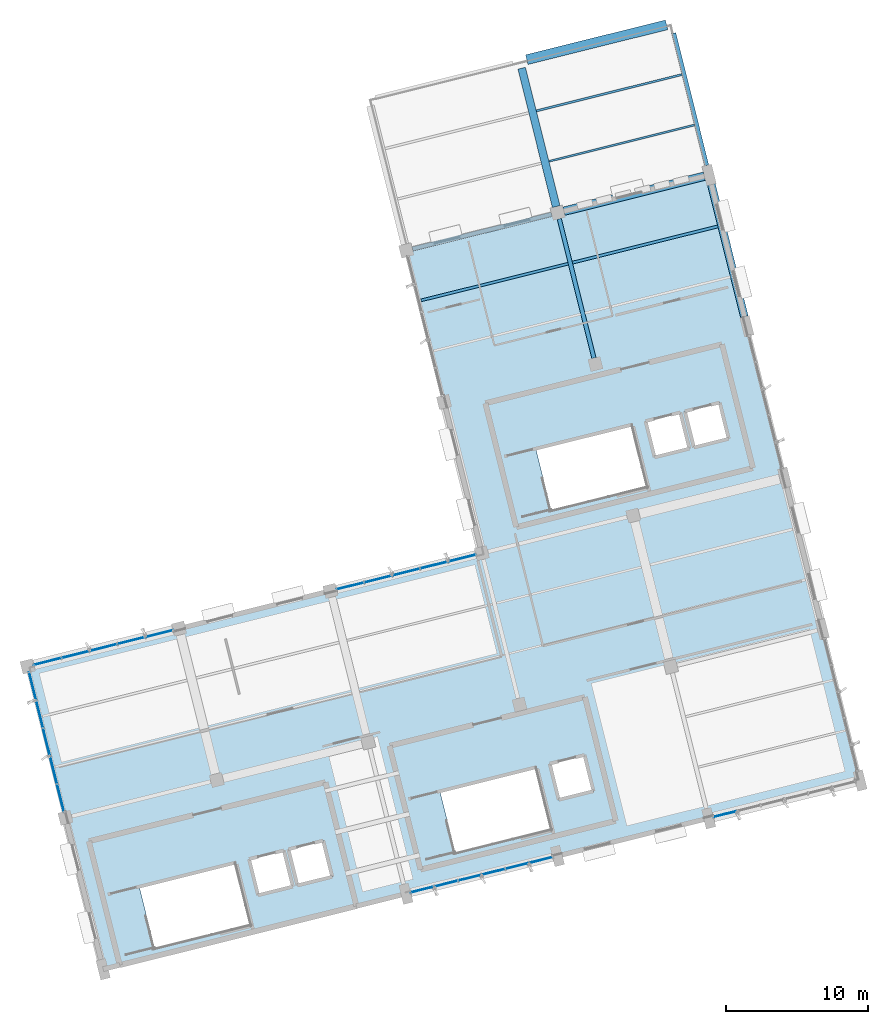
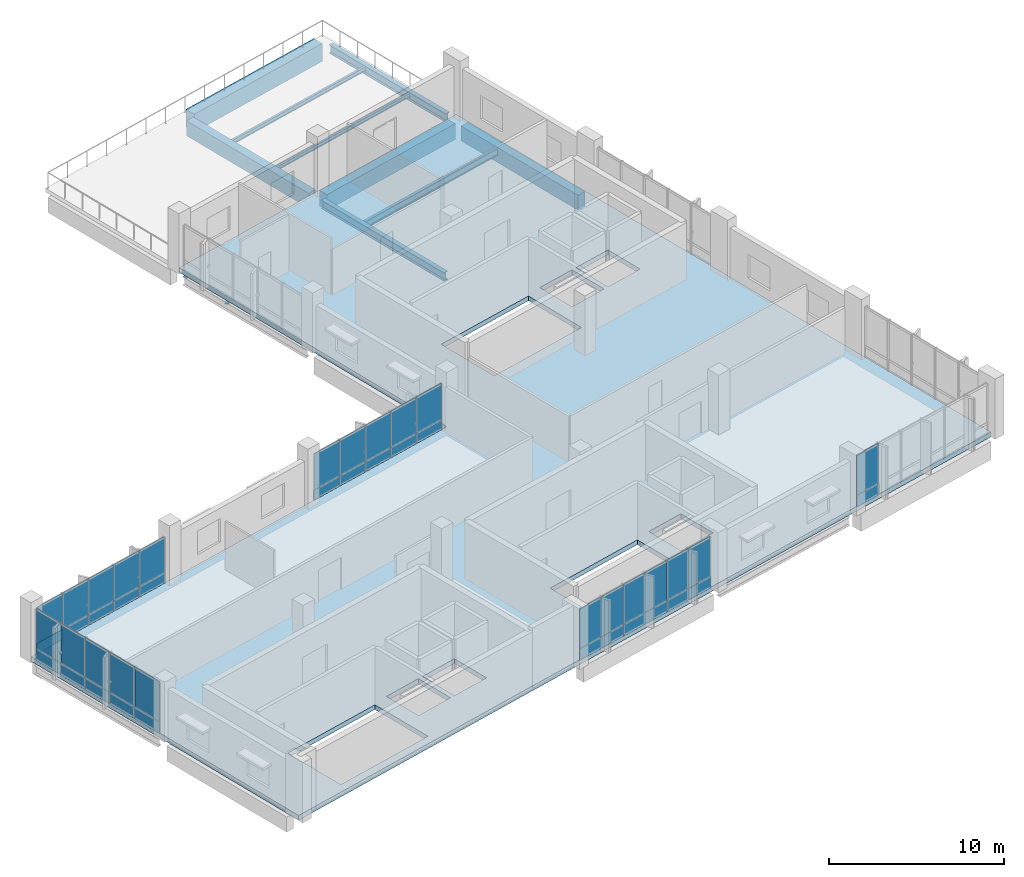
# One storey, part 17 of 22: 44 plates, 11 beams, 1 slab, 5 elements without a shape of their own.
"""IFC4 building model written with IfcOpenShell, lengths in metres."""

from ifc_helpers import new_model, si_unit, direction, frame, origin, origin_2d, place, context, subcontext, project, spatial, polyline, rectangle, i_section, outline, extrude, material, layer, layer_set, material_profile, profile_set, type_object, element, aggregate, save


model = new_model("IFC4")

# Units and contexts
model_context = context("Model", 3, precision=1e-05, world=origin(), true_north=direction((0.0, 1.0)))
body_context = subcontext(model_context, "Body", "Model", "MODEL_VIEW")
ifc_project = project(units=[si_unit("LENGTHUNIT", "METRE"), si_unit("AREAUNIT", "SQUARE_METRE"), si_unit("VOLUMEUNIT", "CUBIC_METRE"), si_unit("PLANEANGLEUNIT", "RADIAN"), si_unit("MASSUNIT", "GRAM", prefix="KILO")], contexts=[model_context])

# Site, building, storey
site_placement = place(None, origin())
site = spatial("IfcSite", under=ifc_project, at=site_placement, CompositionType="ELEMENT")
building_placement = place(site_placement, origin())
building = spatial("IfcBuilding", under=site, at=building_placement, Name="Khorjan Park Terminus", CompositionType="ELEMENT")
storey_placement = place(building_placement, frame((0.0, 0.0, 24.6)))
storey = spatial("IfcBuildingStorey", under=building, at=storey_placement, Name="L05", CompositionType="ELEMENT", Elevation=24.6)

# Beams
ifc_material_1 = material(Name="Steel S355", Category="steel")
ifc_material_profile_1 = material_profile(ifc_material_1, i_section(OverallWidth=0.3, OverallDepth=0.6, WebThickness=0.0155, FlangeThickness=0.03, FilletRadius=0.027, at=origin_2d()), Name="HEB 600")
ifc_profile_set_1 = profile_set([ifc_material_profile_1], Name="Steel S355")
beam_type_1 = type_object("IfcBeamType", Name="BM-HEB600", PredefinedType="BEAM", material=ifc_profile_set_1)
for number, where, z_axis, x_axis, name in (
    (1, (198.4802, 55.4452, -0.63), (0.970294168541, 0.241928143249, 0.0), (-0.241928143249, 0.970294168541, 0.0), "Primary skew-grid floor girder SB-B60 (L05)"),
    (2, (211.2752, 47.7572, -0.63), (-0.241918830968, 0.970296490369, 0.0), (-0.970296490369, -0.241918830968, 0.0), "Primary skew-grid floor girder SB-B60 (L05)"),
):
    element("IfcBeam", number, at=place(storey_placement, frame(where, z_axis=z_axis, x_axis=x_axis)), inside=storey, type_object=beam_type_1, Name=name, PredefinedType="BEAM", context=body_context, shape_type="SweptSolid", body=[
        extrude(i_section(OverallWidth=0.3, OverallDepth=0.6, WebThickness=0.0155, FlangeThickness=0.03, FilletRadius=0.027, at=origin_2d()), origin(), (0.0, 0.0, 1.0), 10.11),
    ])
beam_1_placement = place(storey_placement, frame((219.2268, 61.3342, -0.56), z_axis=(-0.241923473335, 0.970295332901, 0.0), x_axis=(-0.970295332901, -0.241923473335, 0.0)))
element("IfcBeam", 3, at=beam_1_placement, inside=storey, type_object=beam_type_1, Name="Primary skew-grid floor girder SB-B60 (L05)", PredefinedType="BEAM", context=body_context, shape_type="SweptSolid", body=[
    extrude(i_section(OverallWidth=0.3, OverallDepth=0.6, WebThickness=0.0155, FlangeThickness=0.03, FilletRadius=0.027, at=origin_2d()), origin(), (0.0, 0.0, 1.0), 9.6101),
])
ifc_material_2 = material(Name="Concrete C40/50", Category="concrete")
ifc_material_profile_2 = material_profile(ifc_material_2, rectangle(XDim=0.55, YDim=1.05, at=origin_2d()), Name="RC 550x1050")
ifc_profile_set_2 = profile_set([ifc_material_profile_2], Name="Concrete C40/50")
beam_type_2 = type_object("IfcBeamType", Name="BM-RC550x1050", PredefinedType="BEAM", material=ifc_profile_set_2)
beam_2_placement = place(storey_placement, frame((208.614, 58.4305, -0.785), z_axis=(-0.24191810525, 0.970296671309, 0.0), x_axis=(-0.970296671309, -0.24191810525, 0.0)))
element("IfcBeam", 4, at=beam_2_placement, inside=storey, type_object=beam_type_2, Name="Primary skew-grid floor girder GB-105 (L05)", PredefinedType="BEAM", context=body_context, shape_type="SweptSolid", body=[
    extrude(rectangle(XDim=0.55, YDim=1.05, at=origin_2d()), origin(), (0.0, 0.0, 1.0), 10.06),
])
beam_3_placement = place(storey_placement, frame((221.888, 50.661, -0.855), z_axis=(-0.241925915978, 0.970294723874, 0.0), x_axis=(-0.970294723874, -0.241925915978, 0.0)))
element("IfcBeam", 5, at=beam_3_placement, inside=storey, type_object=beam_type_2, Name="Primary skew-grid floor girder GB-105 (L05)", PredefinedType="BEAM", context=body_context, shape_type="SweptSolid", body=[
    extrude(rectangle(XDim=0.55, YDim=1.05, at=origin_2d()), origin(), (0.0, 0.0, 1.0), 9.61),
])
ifc_material_profile_3 = material_profile(ifc_material_2, rectangle(XDim=0.6, YDim=1.1, at=origin_2d()), Name="RC 600x1100")
ifc_profile_set_3 = profile_set([ifc_material_profile_3], Name="Concrete C40/50")
beam_type_3 = type_object("IfcBeamType", Name="BM-RC600x1100", PredefinedType="BEAM", material=ifc_profile_set_3)
beam_4_placement = place(storey_placement, frame((209.1535, 58.1064, -0.88), z_axis=(0.970296133805, 0.241920261086, 0.0), x_axis=(-0.241920261086, 0.970296133805, 0.0)))
element("IfcBeam", 6, at=beam_4_placement, inside=storey, type_object=beam_type_3, Name="Primary skew-grid floor girder GB-11 (L05)", PredefinedType="BEAM", context=body_context, shape_type="SweptSolid", body=[
    extrude(rectangle(XDim=0.6, YDim=1.1, at=origin_2d()), origin(), (0.0, 0.0, 1.0), 10.21),
])
ifc_material_profile_4 = material_profile(ifc_material_2, rectangle(XDim=0.7, YDim=1.25, at=origin_2d()), Name="RC 700x1250")
ifc_profile_set_4 = profile_set([ifc_material_profile_4], Name="Concrete C40/50")
beam_type_4 = type_object("IfcBeamType", Name="BM-RC700x1250", PredefinedType="BEAM", material=ifc_profile_set_4)
beam_5_placement = place(storey_placement, frame((206.5409, 68.7917, -0.885), z_axis=(0.97029631121, 0.241919549545, 0.0), x_axis=(-0.241919549545, 0.97029631121, 0.0)))
element("IfcBeam", 7, at=beam_5_placement, inside=storey, type_object=beam_type_4, Name="Primary skew-grid floor girder GB-125 (L05)", PredefinedType="BEAM", context=body_context, shape_type="SweptSolid", body=[
    extrude(rectangle(XDim=0.7, YDim=1.25, at=origin_2d()), origin(), (0.0, 0.0, 1.0), 10.16),
])
ifc_material_profile_5 = material_profile(ifc_material_1, i_section(OverallWidth=0.135, OverallDepth=0.27, WebThickness=0.0066, FlangeThickness=0.0102, FilletRadius=0.015, at=origin_2d()), Name="IPE 270")
ifc_profile_set_5 = profile_set([ifc_material_profile_5], Name="Steel S355")
beam_type_5 = type_object("IfcBeamType", Name="JS-IPE270", PredefinedType="JOIST", material=ifc_profile_set_5)
beam_6_placement = place(storey_placement, frame((208.1015, 61.623, -0.395), z_axis=(0.970294165893, 0.241928153868, 0.0), x_axis=(-0.241928153868, 0.970294165893, 0.0)))
element("IfcBeam", 8, at=beam_6_placement, inside=storey, type_object=beam_type_5, Name="Secondary composite floor joist SJ-27 (L05)", PredefinedType="JOIST", context=body_context, shape_type="SweptSolid", body=[
    extrude(i_section(OverallWidth=0.135, OverallDepth=0.27, WebThickness=0.0066, FlangeThickness=0.0102, FilletRadius=0.015, at=origin_2d()), origin(), (0.0, 0.0, 1.0), 10.575),
])
ifc_material_profile_6 = material_profile(ifc_material_1, i_section(OverallWidth=0.15, OverallDepth=0.3, WebThickness=0.0071, FlangeThickness=0.0107, FilletRadius=0.015, at=origin_2d()), Name="IPE 300")
ifc_profile_set_6 = profile_set([ifc_material_profile_6], Name="Steel S355")
beam_type_6 = type_object("IfcBeamType", Name="JS-IPE300", PredefinedType="JOIST", material=ifc_profile_set_6)
beam_7_placement = place(storey_placement, frame((207.2144, 65.1807, -0.41), z_axis=(0.970296385626, 0.241919251074, 0.0), x_axis=(-0.241919251074, 0.970296385626, 0.0)))
element("IfcBeam", 9, at=beam_7_placement, inside=storey, type_object=beam_type_6, Name="Secondary composite floor joist SJ-30 (L05)", PredefinedType="JOIST", context=body_context, shape_type="SweptSolid", body=[
    extrude(i_section(OverallWidth=0.15, OverallDepth=0.3, WebThickness=0.0071, FlangeThickness=0.0107, FilletRadius=0.015, at=origin_2d()), origin(), (0.0, 0.0, 1.0), 10.575),
])
ifc_material_profile_7 = material_profile(ifc_material_1, i_section(OverallWidth=0.19, OverallDepth=0.45, WebThickness=0.0094, FlangeThickness=0.0146, FilletRadius=0.021, at=origin_2d()), Name="IPE 450")
ifc_profile_set_7 = profile_set([ifc_material_profile_7], Name="Steel S355")
beam_type_7 = type_object("IfcBeamType", Name="JS-IPE450", PredefinedType="JOIST", material=ifc_profile_set_7)
beam_8_placement = place(storey_placement, frame((199.081, 51.8161, -0.555), z_axis=(0.970297331913, 0.241915455651, 0.0), x_axis=(-0.241915455651, 0.970297331913, 0.0)))
element("IfcBeam", 10, at=beam_8_placement, inside=storey, type_object=beam_type_7, Name="Secondary composite floor joist SJ-45 (L05)", PredefinedType="JOIST", context=body_context, shape_type="SweptSolid", body=[
    extrude(i_section(OverallWidth=0.19, OverallDepth=0.45, WebThickness=0.0094, FlangeThickness=0.0146, FilletRadius=0.021, at=origin_2d()), origin(), (0.0, 0.0, 1.0), 10.7),
])
ifc_material_profile_8 = material_profile(ifc_material_1, i_section(OverallWidth=0.2, OverallDepth=0.5, WebThickness=0.0102, FlangeThickness=0.016, FilletRadius=0.021, at=origin_2d()), Name="IPE 500")
ifc_profile_set_8 = profile_set([ifc_material_profile_8], Name="Steel S355")
beam_type_8 = type_object("IfcBeamType", Name="JS-IPE500", PredefinedType="JOIST", material=ifc_profile_set_8)
beam_9_placement = place(storey_placement, frame((209.7543, 54.4772, -0.58), z_axis=(0.970296385626, 0.241919251074, 0.0), x_axis=(-0.241919251074, 0.970296385626, 0.0)))
element("IfcBeam", 11, at=beam_9_placement, inside=storey, type_object=beam_type_8, Name="Secondary composite floor joist SJ-50 (L05)", PredefinedType="JOIST", context=body_context, shape_type="SweptSolid", body=[
    extrude(i_section(OverallWidth=0.2, OverallDepth=0.5, WebThickness=0.0102, FlangeThickness=0.016, FilletRadius=0.021, at=origin_2d()), origin(), (0.0, 0.0, 1.0), 10.575),
])

# Curtain wall, plates
ifc_material_3 = material(Name="Anodized Bronze Aluminium", Category="aluminium")
ifc_layer_1 = layer(ifc_material_3, 0.22)
ifc_layer_set_1 = layer_set([ifc_layer_1], Name="Anodized Bronze Aluminium")
curtain_wall_type = type_object("IfcCurtainWallType", Name="CW-OPS-B", PredefinedType="NOTDEFINED", material=ifc_layer_set_1)
curtain_wall_1_placement = place(storey_placement, origin())
curtain_wall_1 = element("IfcCurtainWall", 12, at=curtain_wall_1_placement, inside=storey, type_object=curtain_wall_type, Name="Unitized curtain wall CW-B (CW-V5-S-L05-B03)", PredefinedType="NOTDEFINED")
ifc_material_4 = material(Name="Low-E Solar Control Double Glazing", Category="glass")
ifc_layer_2 = layer(ifc_material_4, 0.032)
ifc_layer_set_2 = layer_set([ifc_layer_2], Name="Low-E Solar Control Double Glazing")
plate_type_1 = type_object("IfcPlateType", Name="GL-VIS-32", PredefinedType="CURTAIN_PANEL", material=ifc_layer_set_2)
plate_1_placement = place(storey_placement, frame((199.1762, 10.2718, 0.786), z_axis=(0.0, 0.0, 1.0), x_axis=(0.970294772494, 0.241925720978, 0.0)))
plate_1 = element("IfcPlate", 13, at=plate_1_placement, type_object=plate_type_1, Name="Curtain-wall panel VP-32 (CW-V5-S-L05-B03-0-2)", PredefinedType="CURTAIN_PANEL", context=body_context, shape_type="SweptSolid", body=[
    extrude(rectangle(XDim=1.7233, YDim=0.032, at=origin_2d()), origin(), (0.0, 0.0, 1.0), 2.799),
])
plate_2_placement = place(storey_placement, frame((200.8483, 10.6886, 0.786), z_axis=(0.0, 0.0, 1.0), x_axis=(0.970294772494, 0.241925720978, 0.0)))
plate_2 = element("IfcPlate", 14, at=plate_2_placement, type_object=plate_type_1, Name="Curtain-wall panel VP-32 (CW-V5-S-L05-B03-1-2)", PredefinedType="CURTAIN_PANEL", context=body_context, shape_type="SweptSolid", body=[
    extrude(rectangle(XDim=1.7233, YDim=0.032, at=origin_2d()), origin(), (0.0, 0.0, 1.0), 2.799),
])
plate_3_placement = place(storey_placement, frame((202.5205, 11.1056, 0.786), z_axis=(0.0, 0.0, 1.0), x_axis=(0.970294772494, 0.241925720978, 0.0)))
plate_3 = element("IfcPlate", 15, at=plate_3_placement, type_object=plate_type_1, Name="Curtain-wall panel VP-32 (CW-V5-S-L05-B03-2-2)", PredefinedType="CURTAIN_PANEL", context=body_context, shape_type="SweptSolid", body=[
    extrude(rectangle(XDim=1.7233, YDim=0.032, at=origin_2d()), origin(), (0.0, 0.0, 1.0), 2.799),
])
plate_4_placement = place(storey_placement, frame((204.1926, 11.5225, 0.786), z_axis=(0.0, 0.0, 1.0), x_axis=(0.970294772494, 0.241925720978, 0.0)))
plate_4 = element("IfcPlate", 16, at=plate_4_placement, type_object=plate_type_1, Name="Curtain-wall panel VP-32 (CW-V5-S-L05-B03-3-2)", PredefinedType="CURTAIN_PANEL", context=body_context, shape_type="SweptSolid", body=[
    extrude(rectangle(XDim=1.7233, YDim=0.032, at=origin_2d()), origin(), (0.0, 0.0, 1.0), 2.799),
])
plate_5_placement = place(storey_placement, frame((205.8647, 11.9395, 0.786), z_axis=(0.0, 0.0, 1.0), x_axis=(0.970294772494, 0.241925720978, 0.0)))
plate_5 = element("IfcPlate", 17, at=plate_5_placement, type_object=plate_type_1, Name="Curtain-wall panel VP-32 (CW-V5-S-L05-B03-4-2)", PredefinedType="CURTAIN_PANEL", context=body_context, shape_type="SweptSolid", body=[
    extrude(rectangle(XDim=1.7233, YDim=0.032, at=origin_2d()), origin(), (0.0, 0.0, 1.0), 2.799),
])
plate_6_placement = place(storey_placement, frame((207.5368, 12.3563, 0.786), z_axis=(0.0, 0.0, 1.0), x_axis=(0.970294772494, 0.241925720978, 0.0)))
plate_6 = element("IfcPlate", 18, at=plate_6_placement, type_object=plate_type_1, Name="Curtain-wall panel VP-32 (CW-V5-S-L05-B03-5-2)", PredefinedType="CURTAIN_PANEL", context=body_context, shape_type="SweptSolid", body=[
    extrude(rectangle(XDim=1.7233, YDim=0.032, at=origin_2d()), origin(), (0.0, 0.0, 1.0), 2.799),
])

curtain_wall_2_placement = place(storey_placement, origin())
curtain_wall_2 = element("IfcCurtainWall", 19, at=curtain_wall_2_placement, inside=storey, type_object=curtain_wall_type, Name="Unitized curtain wall CW-B (CW-V5-NW2-L05-B03)", PredefinedType="NOTDEFINED")
plate_7_placement = place(storey_placement, frame((180.623, 28.3194, 0.709), z_axis=(0.0, 0.0, 1.0), x_axis=(-0.9702960401, -0.241920636916, 0.0)))
plate_7 = element("IfcPlate", 20, at=plate_7_placement, type_object=plate_type_1, Name="Curtain-wall panel VP-32 (CW-V5-NW2-L05-B03-0-2)", PredefinedType="CURTAIN_PANEL", context=body_context, shape_type="SweptSolid", body=[
    extrude(rectangle(XDim=2.0279, YDim=0.032, at=origin_2d()), origin(), (0.0, 0.0, 1.0), 2.526),
])
plate_8_placement = place(storey_placement, frame((178.6553, 27.8288, 0.709), z_axis=(0.0, 0.0, 1.0), x_axis=(-0.9702960401, -0.241920636916, 0.0)))
plate_8 = element("IfcPlate", 21, at=plate_8_placement, type_object=plate_type_1, Name="Curtain-wall panel VP-32 (CW-V5-NW2-L05-B03-1-2)", PredefinedType="CURTAIN_PANEL", context=body_context, shape_type="SweptSolid", body=[
    extrude(rectangle(XDim=2.0279, YDim=0.032, at=origin_2d()), origin(), (0.0, 0.0, 1.0), 2.526),
])
plate_9_placement = place(storey_placement, frame((176.6875, 27.3382, 0.709), z_axis=(0.0, 0.0, 1.0), x_axis=(-0.9702960401, -0.241920636916, 0.0)))
plate_9 = element("IfcPlate", 22, at=plate_9_placement, type_object=plate_type_1, Name="Curtain-wall panel VP-32 (CW-V5-NW2-L05-B03-2-2)", PredefinedType="CURTAIN_PANEL", context=body_context, shape_type="SweptSolid", body=[
    extrude(rectangle(XDim=2.0279, YDim=0.032, at=origin_2d()), origin(), (0.0, 0.0, 1.0), 2.526),
])
plate_10_placement = place(storey_placement, frame((174.7199, 26.8476, 0.709), z_axis=(0.0, 0.0, 1.0), x_axis=(-0.9702960401, -0.241920636916, 0.0)))
plate_10 = element("IfcPlate", 23, at=plate_10_placement, type_object=plate_type_1, Name="Curtain-wall panel VP-32 (CW-V5-NW2-L05-B03-3-2)", PredefinedType="CURTAIN_PANEL", context=body_context, shape_type="SweptSolid", body=[
    extrude(rectangle(XDim=2.0279, YDim=0.032, at=origin_2d()), origin(), (0.0, 0.0, 1.0), 2.526),
])
plate_11_placement = place(storey_placement, frame((172.7522, 26.357, 0.709), z_axis=(0.0, 0.0, 1.0), x_axis=(-0.9702960401, -0.241920636916, 0.0)))
plate_11 = element("IfcPlate", 24, at=plate_11_placement, type_object=plate_type_1, Name="Curtain-wall panel VP-32 (CW-V5-NW2-L05-B03-4-2)", PredefinedType="CURTAIN_PANEL", context=body_context, shape_type="SweptSolid", body=[
    extrude(rectangle(XDim=2.0279, YDim=0.032, at=origin_2d()), origin(), (0.0, 0.0, 1.0), 2.526),
])

# Curtain wall, plate
curtain_wall_3_placement = place(storey_placement, origin())
curtain_wall_3 = element("IfcCurtainWall", 25, at=curtain_wall_3_placement, inside=storey, type_object=curtain_wall_type, Name="Unitized curtain wall CW-B (CW-V5-S-L05-B05)", PredefinedType="NOTDEFINED")
ifc_material_5 = material(Name="Acoustic Laminated Solar Glazing", Category="glass")
ifc_layer_3 = layer(ifc_material_5, 0.036)
ifc_layer_set_3 = layer_set([ifc_layer_3], Name="Acoustic Laminated Solar Glazing")
plate_type_2 = type_object("IfcPlateType", Name="GL-VIS-36", PredefinedType="CURTAIN_PANEL", material=ifc_layer_set_3)
plate_12_placement = place(storey_placement, frame((220.5224, 15.5939, 0.786), z_axis=(0.0, 0.0, 1.0), x_axis=(0.970296464407, 0.241918935098, 0.0)))
plate_12 = element("IfcPlate", 26, at=plate_12_placement, type_object=plate_type_2, Name="Curtain-wall panel VP-36 (CW-V5-S-L05-B05-0-2)", PredefinedType="CURTAIN_PANEL", context=body_context, shape_type="SweptSolid", body=[
    extrude(rectangle(XDim=1.7234, YDim=0.036, at=origin_2d()), origin(), (0.0, 0.0, 1.0), 2.799),
])

# Curtain wall, plates
curtain_wall_4_placement = place(storey_placement, origin())
curtain_wall_4 = element("IfcCurtainWall", 27, at=curtain_wall_4_placement, inside=storey, type_object=curtain_wall_type, Name="Unitized curtain wall CW-B (CW-V5-NW2-L05-B01)", PredefinedType="NOTDEFINED")
plate_13_placement = place(storey_placement, frame((201.9698, 33.6418, 0.709), z_axis=(0.0, 0.0, 1.0), x_axis=(-0.970294289952, -0.241927656308, 0.0)))
plate_13 = element("IfcPlate", 28, at=plate_13_placement, type_object=plate_type_2, Name="Curtain-wall panel VP-36 (CW-V5-NW2-L05-B01-0-2)", PredefinedType="CURTAIN_PANEL", context=body_context, shape_type="SweptSolid", body=[
    extrude(rectangle(XDim=2.0281, YDim=0.036, at=origin_2d()), origin(), (0.0, 0.0, 1.0), 2.526),
])
plate_14_placement = place(storey_placement, frame((200.0018, 33.1511, 0.709), z_axis=(0.0, 0.0, 1.0), x_axis=(-0.970294289952, -0.241927656308, 0.0)))
plate_14 = element("IfcPlate", 29, at=plate_14_placement, type_object=plate_type_2, Name="Curtain-wall panel VP-36 (CW-V5-NW2-L05-B01-1-2)", PredefinedType="CURTAIN_PANEL", context=body_context, shape_type="SweptSolid", body=[
    extrude(rectangle(XDim=2.0281, YDim=0.036, at=origin_2d()), origin(), (0.0, 0.0, 1.0), 2.526),
])
plate_15_placement = place(storey_placement, frame((198.034, 32.6604, 0.709), z_axis=(0.0, 0.0, 1.0), x_axis=(-0.970294289952, -0.241927656308, 0.0)))
plate_15 = element("IfcPlate", 30, at=plate_15_placement, type_object=plate_type_2, Name="Curtain-wall panel VP-36 (CW-V5-NW2-L05-B01-2-2)", PredefinedType="CURTAIN_PANEL", context=body_context, shape_type="SweptSolid", body=[
    extrude(rectangle(XDim=2.0281, YDim=0.036, at=origin_2d()), origin(), (0.0, 0.0, 1.0), 2.526),
])
plate_16_placement = place(storey_placement, frame((196.0661, 32.1698, 0.709), z_axis=(0.0, 0.0, 1.0), x_axis=(-0.970294289952, -0.241927656308, 0.0)))
plate_16 = element("IfcPlate", 31, at=plate_16_placement, type_object=plate_type_2, Name="Curtain-wall panel VP-36 (CW-V5-NW2-L05-B01-3-2)", PredefinedType="CURTAIN_PANEL", context=body_context, shape_type="SweptSolid", body=[
    extrude(rectangle(XDim=2.0281, YDim=0.036, at=origin_2d()), origin(), (0.0, 0.0, 1.0), 2.526),
])
plate_17_placement = place(storey_placement, frame((194.0983, 31.6791, 0.709), z_axis=(0.0, 0.0, 1.0), x_axis=(-0.970294289952, -0.241927656308, 0.0)))
plate_17 = element("IfcPlate", 32, at=plate_17_placement, type_object=plate_type_2, Name="Curtain-wall panel VP-36 (CW-V5-NW2-L05-B01-4-2)", PredefinedType="CURTAIN_PANEL", context=body_context, shape_type="SweptSolid", body=[
    extrude(rectangle(XDim=2.0281, YDim=0.036, at=origin_2d()), origin(), (0.0, 0.0, 1.0), 2.526),
])

curtain_wall_5_placement = place(storey_placement, origin())
curtain_wall_5 = element("IfcCurtainWall", 33, at=curtain_wall_5_placement, inside=storey, type_object=curtain_wall_type, Name="Unitized curtain wall CW-B (CW-V5-W-L05-B01)", PredefinedType="NOTDEFINED")
plate_18_placement = place(storey_placement, frame((171.7003, 24.6067, 0.786), z_axis=(0.0, 0.0, 1.0), x_axis=(0.241927656308, -0.970294289952, 0.0)))
plate_18 = element("IfcPlate", 34, at=plate_18_placement, type_object=plate_type_2, Name="Curtain-wall panel VP-36 (CW-V5-W-L05-B01-0-2)", PredefinedType="CURTAIN_PANEL", context=body_context, shape_type="SweptSolid", body=[
    extrude(rectangle(XDim=2.0281, YDim=0.036, at=origin_2d()), origin(), (0.0, 0.0, 1.0), 2.799),
])
plate_19_placement = place(storey_placement, frame((172.1909, 22.6389, 0.786), z_axis=(0.0, 0.0, 1.0), x_axis=(0.241927656308, -0.970294289952, 0.0)))
plate_19 = element("IfcPlate", 35, at=plate_19_placement, type_object=plate_type_2, Name="Curtain-wall panel VP-36 (CW-V5-W-L05-B01-1-2)", PredefinedType="CURTAIN_PANEL", context=body_context, shape_type="SweptSolid", body=[
    extrude(rectangle(XDim=2.0281, YDim=0.036, at=origin_2d()), origin(), (0.0, 0.0, 1.0), 2.799),
])
plate_20_placement = place(storey_placement, frame((172.6816, 20.671, 0.786), z_axis=(0.0, 0.0, 1.0), x_axis=(0.241927656308, -0.970294289952, 0.0)))
plate_20 = element("IfcPlate", 36, at=plate_20_placement, type_object=plate_type_2, Name="Curtain-wall panel VP-36 (CW-V5-W-L05-B01-2-2)", PredefinedType="CURTAIN_PANEL", context=body_context, shape_type="SweptSolid", body=[
    extrude(rectangle(XDim=2.0281, YDim=0.036, at=origin_2d()), origin(), (0.0, 0.0, 1.0), 2.799),
])
plate_21_placement = place(storey_placement, frame((173.1722, 18.7032, 0.786), z_axis=(0.0, 0.0, 1.0), x_axis=(0.241927656308, -0.970294289952, 0.0)))
plate_21 = element("IfcPlate", 37, at=plate_21_placement, type_object=plate_type_2, Name="Curtain-wall panel VP-36 (CW-V5-W-L05-B01-3-2)", PredefinedType="CURTAIN_PANEL", context=body_context, shape_type="SweptSolid", body=[
    extrude(rectangle(XDim=2.0281, YDim=0.036, at=origin_2d()), origin(), (0.0, 0.0, 1.0), 2.799),
])
plate_22_placement = place(storey_placement, frame((173.6628, 16.7353, 0.786), z_axis=(0.0, 0.0, 1.0), x_axis=(0.241927656308, -0.970294289952, 0.0)))
plate_22 = element("IfcPlate", 38, at=plate_22_placement, type_object=plate_type_2, Name="Curtain-wall panel VP-36 (CW-V5-W-L05-B01-4-2)", PredefinedType="CURTAIN_PANEL", context=body_context, shape_type="SweptSolid", body=[
    extrude(rectangle(XDim=2.0281, YDim=0.036, at=origin_2d()), origin(), (0.0, 0.0, 1.0), 2.799),
])

# Slab
ifc_layer_4 = layer(ifc_material_2, 0.33)
ifc_layer_set_4 = layer_set([ifc_layer_4], Name="Concrete C40/50")
slab_type = type_object("IfcSlabType", Name="SL-FLR-330", PredefinedType="FLOOR", material=ifc_layer_set_4)
slab_placement = place(storey_placement, frame((0.0, 0.0, -0.33)))
element("IfcSlab", 39, at=slab_placement, inside=storey, type_object=slab_type, Name="Structural floor slab FS-33 (L05-V5-IN)", PredefinedType="FLOOR", context=body_context, shape_type="SweptSolid", body=[
    extrude(outline(polyline([(171.351, 26.0076), (203.3707, 33.9911), (198.0484, 55.3376), (219.395, 60.6599), (230.0395, 17.9668), (176.6733, 4.6611), (171.351, 26.0076)]), holes=[polyline([(185.9646, 12.038), (179.2453, 10.3627), (180.3001, 6.1322), (187.0194, 7.8075), (185.9646, 12.038)]), polyline([(189.4141, 13.0423), (186.9495, 12.4279), (187.5882, 9.8663), (190.0528, 10.4808), (189.4141, 13.0423)]), polyline([(192.1891, 13.7342), (189.7246, 13.1198), (190.3633, 10.5582), (192.8278, 11.1727), (192.1891, 13.7342)]), polyline([(207.1665, 18.7671), (200.4472, 17.0918), (201.502, 12.8613), (208.2213, 14.5366), (207.1665, 18.7671)]), polyline([(210.616, 19.7714), (208.1514, 19.157), (208.7901, 16.5954), (211.2547, 17.2099), (210.616, 19.7714)]), polyline([(213.9243, 42.9194), (207.205, 41.2441), (208.2598, 37.0136), (214.9791, 38.6889), (213.9243, 42.9194)]), polyline([(217.3738, 43.9237), (214.9092, 43.3093), (215.5479, 40.7477), (218.0125, 41.3622), (217.3738, 43.9237)]), polyline([(220.1488, 44.6156), (217.6843, 44.0012), (218.323, 41.4396), (220.7875, 42.0541), (220.1488, 44.6156)])]), origin(), (0.0, 0.0, 1.0), 0.33),
])

# Plate
ifc_material_6 = material(Name="Insulated Bronze-Composite Spandrel Panel")
ifc_layer_5 = layer(ifc_material_6, 0.055)
ifc_layer_set_5 = layer_set([ifc_layer_5], Name="Insulated Bronze-Composite Spandrel Panel")
plate_type_3 = type_object("IfcPlateType", Name="SP-AL-55", PredefinedType="CURTAIN_PANEL", material=ifc_layer_set_5)
plate_23_placement = place(storey_placement, frame((199.1762, 10.2718, -0.01), z_axis=(0.0, 0.0, 1.0), x_axis=(0.970294772494, 0.241925720978, 0.0)))
plate_23 = element("IfcPlate", 40, at=plate_23_placement, type_object=plate_type_3, Name="Curtain-wall panel SP-A55 (CW-V5-S-L05-B03-0-1)", PredefinedType="CURTAIN_PANEL", context=body_context, shape_type="SweptSolid", body=[
    extrude(rectangle(XDim=1.7233, YDim=0.055, at=origin_2d()), origin(), (0.0, 0.0, 1.0), 0.796),
])

plate_24_placement = place(storey_placement, frame((200.8483, 10.6886, -0.01), z_axis=(0.0, 0.0, 1.0), x_axis=(0.970294772494, 0.241925720978, 0.0)))
plate_24 = element("IfcPlate", 41, at=plate_24_placement, type_object=plate_type_3, Name="Curtain-wall panel SP-A55 (CW-V5-S-L05-B03-1-1)", PredefinedType="CURTAIN_PANEL", context=body_context, shape_type="SweptSolid", body=[
    extrude(rectangle(XDim=1.7233, YDim=0.055, at=origin_2d()), origin(), (0.0, 0.0, 1.0), 0.796),
])

plate_25_placement = place(storey_placement, frame((202.5205, 11.1056, -0.01), z_axis=(0.0, 0.0, 1.0), x_axis=(0.970294772494, 0.241925720978, 0.0)))
plate_25 = element("IfcPlate", 42, at=plate_25_placement, type_object=plate_type_3, Name="Curtain-wall panel SP-A55 (CW-V5-S-L05-B03-2-1)", PredefinedType="CURTAIN_PANEL", context=body_context, shape_type="SweptSolid", body=[
    extrude(rectangle(XDim=1.7233, YDim=0.055, at=origin_2d()), origin(), (0.0, 0.0, 1.0), 0.796),
])

plate_26_placement = place(storey_placement, frame((204.1926, 11.5225, -0.01), z_axis=(0.0, 0.0, 1.0), x_axis=(0.970294772494, 0.241925720978, 0.0)))
plate_26 = element("IfcPlate", 43, at=plate_26_placement, type_object=plate_type_3, Name="Curtain-wall panel SP-A55 (CW-V5-S-L05-B03-3-1)", PredefinedType="CURTAIN_PANEL", context=body_context, shape_type="SweptSolid", body=[
    extrude(rectangle(XDim=1.7233, YDim=0.055, at=origin_2d()), origin(), (0.0, 0.0, 1.0), 0.796),
])

plate_27_placement = place(storey_placement, frame((205.8647, 11.9395, -0.01), z_axis=(0.0, 0.0, 1.0), x_axis=(0.970294772494, 0.241925720978, 0.0)))
plate_27 = element("IfcPlate", 44, at=plate_27_placement, type_object=plate_type_3, Name="Curtain-wall panel SP-A55 (CW-V5-S-L05-B03-4-1)", PredefinedType="CURTAIN_PANEL", context=body_context, shape_type="SweptSolid", body=[
    extrude(rectangle(XDim=1.7233, YDim=0.055, at=origin_2d()), origin(), (0.0, 0.0, 1.0), 0.796),
])

plate_28_placement = place(storey_placement, frame((207.5368, 12.3563, -0.01), z_axis=(0.0, 0.0, 1.0), x_axis=(0.970294772494, 0.241925720978, 0.0)))
plate_28 = element("IfcPlate", 45, at=plate_28_placement, type_object=plate_type_3, Name="Curtain-wall panel SP-A55 (CW-V5-S-L05-B03-5-1)", PredefinedType="CURTAIN_PANEL", context=body_context, shape_type="SweptSolid", body=[
    extrude(rectangle(XDim=1.7233, YDim=0.055, at=origin_2d()), origin(), (0.0, 0.0, 1.0), 0.796),
])

aggregate(curtain_wall_1, [plate_23, plate_1, plate_24, plate_2, plate_25, plate_3, plate_26, plate_4, plate_27, plate_5, plate_28, plate_6])

plate_29_placement = place(storey_placement, frame((220.5224, 15.5939, -0.01), z_axis=(0.0, 0.0, 1.0), x_axis=(0.970296464407, 0.241918935098, 0.0)))
plate_29 = element("IfcPlate", 46, at=plate_29_placement, type_object=plate_type_3, Name="Curtain-wall panel SP-A55 (CW-V5-S-L05-B05-0-1)", PredefinedType="CURTAIN_PANEL", context=body_context, shape_type="SweptSolid", body=[
    extrude(rectangle(XDim=1.7234, YDim=0.055, at=origin_2d()), origin(), (0.0, 0.0, 1.0), 0.796),
])

aggregate(curtain_wall_3, [plate_29, plate_12])

plate_30_placement = place(storey_placement, frame((201.9698, 33.6418, -0.01), z_axis=(0.0, 0.0, 1.0), x_axis=(-0.970294289952, -0.241927656308, 0.0)))
plate_30 = element("IfcPlate", 47, at=plate_30_placement, type_object=plate_type_3, Name="Curtain-wall panel SP-A55 (CW-V5-NW2-L05-B01-0-1)", PredefinedType="CURTAIN_PANEL", context=body_context, shape_type="SweptSolid", body=[
    extrude(rectangle(XDim=2.0281, YDim=0.055, at=origin_2d()), origin(), (0.0, 0.0, 1.0), 0.719),
])

plate_31_placement = place(storey_placement, frame((200.0018, 33.1511, -0.01), z_axis=(0.0, 0.0, 1.0), x_axis=(-0.970294289952, -0.241927656308, 0.0)))
plate_31 = element("IfcPlate", 48, at=plate_31_placement, type_object=plate_type_3, Name="Curtain-wall panel SP-A55 (CW-V5-NW2-L05-B01-1-1)", PredefinedType="CURTAIN_PANEL", context=body_context, shape_type="SweptSolid", body=[
    extrude(rectangle(XDim=2.0281, YDim=0.055, at=origin_2d()), origin(), (0.0, 0.0, 1.0), 0.719),
])

plate_32_placement = place(storey_placement, frame((198.034, 32.6604, -0.01), z_axis=(0.0, 0.0, 1.0), x_axis=(-0.970294289952, -0.241927656308, 0.0)))
plate_32 = element("IfcPlate", 49, at=plate_32_placement, type_object=plate_type_3, Name="Curtain-wall panel SP-A55 (CW-V5-NW2-L05-B01-2-1)", PredefinedType="CURTAIN_PANEL", context=body_context, shape_type="SweptSolid", body=[
    extrude(rectangle(XDim=2.0281, YDim=0.055, at=origin_2d()), origin(), (0.0, 0.0, 1.0), 0.719),
])

plate_33_placement = place(storey_placement, frame((196.0661, 32.1698, -0.01), z_axis=(0.0, 0.0, 1.0), x_axis=(-0.970294289952, -0.241927656308, 0.0)))
plate_33 = element("IfcPlate", 50, at=plate_33_placement, type_object=plate_type_3, Name="Curtain-wall panel SP-A55 (CW-V5-NW2-L05-B01-3-1)", PredefinedType="CURTAIN_PANEL", context=body_context, shape_type="SweptSolid", body=[
    extrude(rectangle(XDim=2.0281, YDim=0.055, at=origin_2d()), origin(), (0.0, 0.0, 1.0), 0.719),
])

plate_34_placement = place(storey_placement, frame((194.0983, 31.6791, -0.01), z_axis=(0.0, 0.0, 1.0), x_axis=(-0.970294289952, -0.241927656308, 0.0)))
plate_34 = element("IfcPlate", 51, at=plate_34_placement, type_object=plate_type_3, Name="Curtain-wall panel SP-A55 (CW-V5-NW2-L05-B01-4-1)", PredefinedType="CURTAIN_PANEL", context=body_context, shape_type="SweptSolid", body=[
    extrude(rectangle(XDim=2.0281, YDim=0.055, at=origin_2d()), origin(), (0.0, 0.0, 1.0), 0.719),
])

aggregate(curtain_wall_4, [plate_30, plate_13, plate_31, plate_14, plate_32, plate_15, plate_33, plate_16, plate_34, plate_17])

plate_35_placement = place(storey_placement, frame((180.623, 28.3194, -0.01), z_axis=(0.0, 0.0, 1.0), x_axis=(-0.9702960401, -0.241920636916, 0.0)))
plate_35 = element("IfcPlate", 52, at=plate_35_placement, type_object=plate_type_3, Name="Curtain-wall panel SP-A55 (CW-V5-NW2-L05-B03-0-1)", PredefinedType="CURTAIN_PANEL", context=body_context, shape_type="SweptSolid", body=[
    extrude(rectangle(XDim=2.0279, YDim=0.055, at=origin_2d()), origin(), (0.0, 0.0, 1.0), 0.719),
])

plate_36_placement = place(storey_placement, frame((178.6553, 27.8288, -0.01), z_axis=(0.0, 0.0, 1.0), x_axis=(-0.9702960401, -0.241920636916, 0.0)))
plate_36 = element("IfcPlate", 53, at=plate_36_placement, type_object=plate_type_3, Name="Curtain-wall panel SP-A55 (CW-V5-NW2-L05-B03-1-1)", PredefinedType="CURTAIN_PANEL", context=body_context, shape_type="SweptSolid", body=[
    extrude(rectangle(XDim=2.0279, YDim=0.055, at=origin_2d()), origin(), (0.0, 0.0, 1.0), 0.719),
])

plate_37_placement = place(storey_placement, frame((176.6875, 27.3382, -0.01), z_axis=(0.0, 0.0, 1.0), x_axis=(-0.9702960401, -0.241920636916, 0.0)))
plate_37 = element("IfcPlate", 54, at=plate_37_placement, type_object=plate_type_3, Name="Curtain-wall panel SP-A55 (CW-V5-NW2-L05-B03-2-1)", PredefinedType="CURTAIN_PANEL", context=body_context, shape_type="SweptSolid", body=[
    extrude(rectangle(XDim=2.0279, YDim=0.055, at=origin_2d()), origin(), (0.0, 0.0, 1.0), 0.719),
])

plate_38_placement = place(storey_placement, frame((174.7199, 26.8476, -0.01), z_axis=(0.0, 0.0, 1.0), x_axis=(-0.9702960401, -0.241920636916, 0.0)))
plate_38 = element("IfcPlate", 55, at=plate_38_placement, type_object=plate_type_3, Name="Curtain-wall panel SP-A55 (CW-V5-NW2-L05-B03-3-1)", PredefinedType="CURTAIN_PANEL", context=body_context, shape_type="SweptSolid", body=[
    extrude(rectangle(XDim=2.0279, YDim=0.055, at=origin_2d()), origin(), (0.0, 0.0, 1.0), 0.719),
])

plate_39_placement = place(storey_placement, frame((172.7522, 26.357, -0.01), z_axis=(0.0, 0.0, 1.0), x_axis=(-0.9702960401, -0.241920636916, 0.0)))
plate_39 = element("IfcPlate", 56, at=plate_39_placement, type_object=plate_type_3, Name="Curtain-wall panel SP-A55 (CW-V5-NW2-L05-B03-4-1)", PredefinedType="CURTAIN_PANEL", context=body_context, shape_type="SweptSolid", body=[
    extrude(rectangle(XDim=2.0279, YDim=0.055, at=origin_2d()), origin(), (0.0, 0.0, 1.0), 0.719),
])

aggregate(curtain_wall_2, [plate_35, plate_7, plate_36, plate_8, plate_37, plate_9, plate_38, plate_10, plate_39, plate_11])

plate_40_placement = place(storey_placement, frame((171.7003, 24.6067, -0.01), z_axis=(0.0, 0.0, 1.0), x_axis=(0.241927656308, -0.970294289952, 0.0)))
plate_40 = element("IfcPlate", 57, at=plate_40_placement, type_object=plate_type_3, Name="Curtain-wall panel SP-A55 (CW-V5-W-L05-B01-0-1)", PredefinedType="CURTAIN_PANEL", context=body_context, shape_type="SweptSolid", body=[
    extrude(rectangle(XDim=2.0281, YDim=0.055, at=origin_2d()), origin(), (0.0, 0.0, 1.0), 0.796),
])

plate_41_placement = place(storey_placement, frame((172.1909, 22.6389, -0.01), z_axis=(0.0, 0.0, 1.0), x_axis=(0.241927656308, -0.970294289952, 0.0)))
plate_41 = element("IfcPlate", 58, at=plate_41_placement, type_object=plate_type_3, Name="Curtain-wall panel SP-A55 (CW-V5-W-L05-B01-1-1)", PredefinedType="CURTAIN_PANEL", context=body_context, shape_type="SweptSolid", body=[
    extrude(rectangle(XDim=2.0281, YDim=0.055, at=origin_2d()), origin(), (0.0, 0.0, 1.0), 0.796),
])

plate_42_placement = place(storey_placement, frame((172.6816, 20.671, -0.01), z_axis=(0.0, 0.0, 1.0), x_axis=(0.241927656308, -0.970294289952, 0.0)))
plate_42 = element("IfcPlate", 59, at=plate_42_placement, type_object=plate_type_3, Name="Curtain-wall panel SP-A55 (CW-V5-W-L05-B01-2-1)", PredefinedType="CURTAIN_PANEL", context=body_context, shape_type="SweptSolid", body=[
    extrude(rectangle(XDim=2.0281, YDim=0.055, at=origin_2d()), origin(), (0.0, 0.0, 1.0), 0.796),
])

plate_43_placement = place(storey_placement, frame((173.1722, 18.7032, -0.01), z_axis=(0.0, 0.0, 1.0), x_axis=(0.241927656308, -0.970294289952, 0.0)))
plate_43 = element("IfcPlate", 60, at=plate_43_placement, type_object=plate_type_3, Name="Curtain-wall panel SP-A55 (CW-V5-W-L05-B01-3-1)", PredefinedType="CURTAIN_PANEL", context=body_context, shape_type="SweptSolid", body=[
    extrude(rectangle(XDim=2.0281, YDim=0.055, at=origin_2d()), origin(), (0.0, 0.0, 1.0), 0.796),
])

plate_44_placement = place(storey_placement, frame((173.6628, 16.7353, -0.01), z_axis=(0.0, 0.0, 1.0), x_axis=(0.241927656308, -0.970294289952, 0.0)))
plate_44 = element("IfcPlate", 61, at=plate_44_placement, type_object=plate_type_3, Name="Curtain-wall panel SP-A55 (CW-V5-W-L05-B01-4-1)", PredefinedType="CURTAIN_PANEL", context=body_context, shape_type="SweptSolid", body=[
    extrude(rectangle(XDim=2.0281, YDim=0.055, at=origin_2d()), origin(), (0.0, 0.0, 1.0), 0.796),
])

aggregate(curtain_wall_5, [plate_40, plate_18, plate_41, plate_19, plate_42, plate_20, plate_43, plate_21, plate_44, plate_22])

save(model, "model.ifc")
